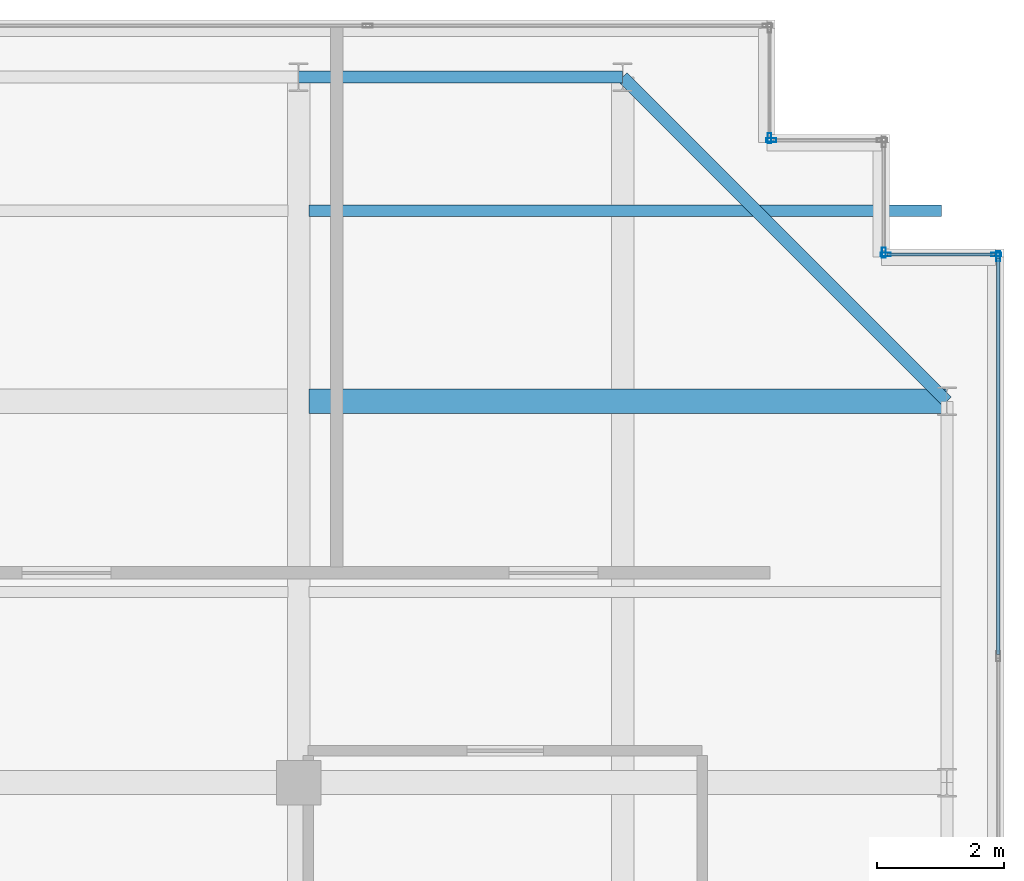
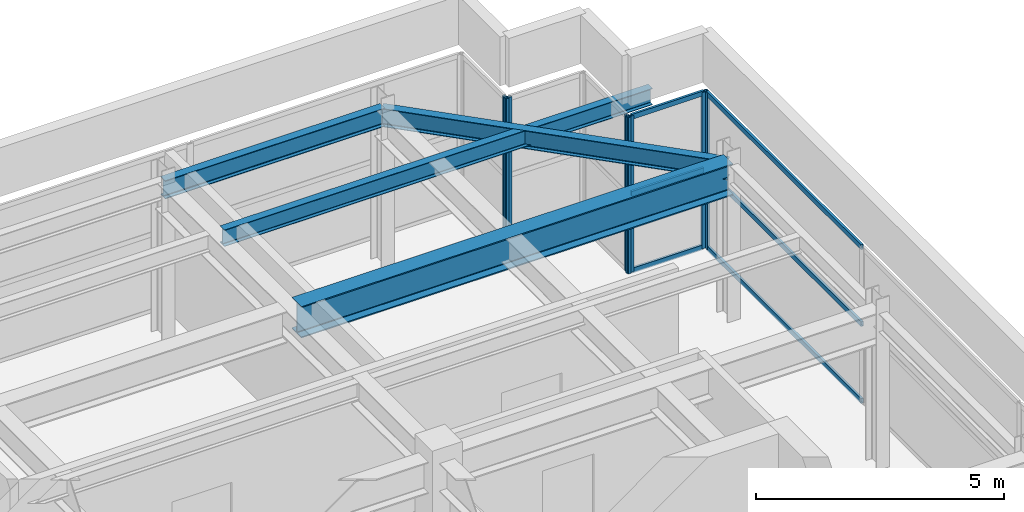
# One storey, part 27 of 33: 12 members, 4 beams, 5 elements without a shape of their own.
"""IFC4 building model written with IfcOpenShell, lengths in metres."""

from ifc_helpers import new_model, si_unit, direction, frame, origin, origin_2d, place, context, subcontext, project, spatial, hollow_rectangle, i_section, extrude, source, transform, mapped, material, layer, layer_set, material_profile, profile_set, type_object, element, aggregate, save


model = new_model("IFC4")

# Units and contexts
model_context = context("Model", 3, precision=1e-05, world=origin(), true_north=direction((0.0, 1.0)))
body_context = subcontext(model_context, "Body", "Model", "MODEL_VIEW")
ifc_project = project(units=[si_unit("LENGTHUNIT", "METRE"), si_unit("AREAUNIT", "SQUARE_METRE"), si_unit("VOLUMEUNIT", "CUBIC_METRE"), si_unit("PLANEANGLEUNIT", "RADIAN"), si_unit("MASSUNIT", "GRAM", prefix="KILO")], contexts=[model_context])

# Site, building, storey
site_placement = place(None, origin())
site = spatial("IfcSite", under=ifc_project, at=site_placement, CompositionType="ELEMENT")
building_placement = place(site_placement, origin())
building = spatial("IfcBuilding", under=site, at=building_placement, Name="Khoralis Quay Care Tower", CompositionType="ELEMENT")
storey_placement = place(building_placement, frame((0.0, 0.0, 314.699951171875)))
storey = spatial("IfcBuildingStorey", under=building, at=storey_placement, Name="L82", CompositionType="ELEMENT", Elevation=314.699951171875)

# Beams
ifc_material_1 = material(Name="Steel S355", Category="steel")
ifc_material_profile_1 = material_profile(ifc_material_1, i_section(OverallWidth=0.18994140625, OverallDepth=0.449951171875, WebThickness=0.009521484375, FlangeThickness=0.0146484375, FilletRadius=0.02099609375, at=origin_2d()), Name="Steel S355")
ifc_profile_set_1 = profile_set([ifc_material_profile_1], Name="Steel S355")
beam_type_1 = type_object("IfcBeamType", Name="BM-IPE450", PredefinedType="SPANDREL", material=ifc_profile_set_1)
shared_shape_1 = source(origin(), body_context, "Body", "SweptSolid", [
    extrude(i_section(OverallWidth=0.18994140625, OverallDepth=0.449951171875, WebThickness=0.009521484375, FlangeThickness=0.0146484375, FilletRadius=0.02099609375, at=origin_2d()), origin(), (0.0, 0.0, 1.0), 5.10009765625),
])
beam_1_placement = place(storey_placement, frame((30.89990234375, 41.10009765625, 3.614990234375), z_axis=(1.0, 0.0, 0.0), x_axis=(0.0, 1.0, 0.0)))
element("IfcBeam", 1, at=beam_1_placement, inside=storey, type_object=beam_type_1, Name="BM-TSP-L82-08", PredefinedType="SPANDREL", context=body_context, shape_type="MappedRepresentation", body=[
    mapped(shared_shape_1, transform((0.0, 0.0, 0.0), scale=1.0)),
])
shared_shape_2 = source(origin(), body_context, "Body", "SweptSolid", [
    extrude(i_section(OverallWidth=0.18994140625, OverallDepth=0.449951171875, WebThickness=0.009521484375, FlangeThickness=0.0146484375, FilletRadius=0.02099609375, at=origin_2d()), origin(), (0.0, 0.0, 1.0), 7.212646484375),
])
beam_2_placement = place(storey_placement, frame((36.0, 41.10009765625, 3.614990234375), z_axis=(0.707106781187, -0.707106781187, 0.0), x_axis=(0.707106781187, 0.707106781187, 0.0)))
element("IfcBeam", 2, at=beam_2_placement, inside=storey, type_object=beam_type_1, Name="BM-TCR-L82-20", PredefinedType="SPANDREL", context=body_context, shape_type="MappedRepresentation", body=[
    mapped(shared_shape_2, transform((0.0, 0.0, 0.0), scale=1.0)),
])
ifc_material_profile_2 = material_profile(ifc_material_1, i_section(OverallWidth=0.381103515625, OverallDepth=0.77294921875, WebThickness=0.0166015625, FlangeThickness=0.027587890625, FilletRadius=0.02197265625, at=origin_2d()), Name="Steel S355")
ifc_profile_set_2 = profile_set([ifc_material_profile_2], Name="Steel S355")
beam_type_2 = type_object("IfcBeamType", Name="BM-W760X257", PredefinedType="BEAM", material=ifc_profile_set_2)
shared_shape_3 = source(origin(), body_context, "Body", "SweptSolid", [
    extrude(i_section(OverallWidth=0.381103515625, OverallDepth=0.77294921875, WebThickness=0.0166015625, FlangeThickness=0.027587890625, FilletRadius=0.02197265625, at=origin_2d()), origin(), (0.0, 0.0, 1.0), 10.03466796875),
])
beam_3_placement = place(storey_placement, frame((31.0654296875, 36.0, 3.45361328125), z_axis=(1.0, 0.0, 0.0), x_axis=(0.0, 1.0, 0.0)))
element("IfcBeam", 3, at=beam_3_placement, inside=storey, type_object=beam_type_2, Name="BM-TGXE-L82-360", PredefinedType="BEAM", context=body_context, shape_type="MappedRepresentation", body=[
    mapped(shared_shape_3, transform((0.0, 0.0, 0.0), scale=1.0)),
])
ifc_material_profile_3 = material_profile(ifc_material_1, i_section(OverallWidth=0.177978515625, OverallDepth=0.406982421875, WebThickness=0.0078125, FlangeThickness=0.0126953125, FilletRadius=0.012939453125, at=origin_2d()), Name="Steel S355")
ifc_profile_set_3 = profile_set([ifc_material_profile_3], Name="Steel S355")
beam_type_3 = type_object("IfcBeamType", Name="BM-W410X60", PredefinedType="JOIST", material=ifc_profile_set_3)
shared_shape_4 = source(origin(), body_context, "Body", "SweptSolid", [
    extrude(i_section(OverallWidth=0.177978515625, OverallDepth=0.406982421875, WebThickness=0.0078125, FlangeThickness=0.0126953125, FilletRadius=0.012939453125, at=origin_2d()), origin(), (0.0, 0.0, 1.0), 9.95361328125),
])
beam_4_placement = place(storey_placement, frame((31.0654296875, 39.0, 3.636474609375), z_axis=(1.0, 0.0, 0.0), x_axis=(0.0, 1.0, 0.0)))
element("IfcBeam", 4, at=beam_4_placement, inside=storey, type_object=beam_type_3, Name="BM-TJS-L82-28", PredefinedType="JOIST", context=body_context, shape_type="MappedRepresentation", body=[
    mapped(shared_shape_4, transform((0.0, 0.0, 0.0), scale=1.0)),
])

# Curtain wall, members
ifc_material_2 = material(Name="Pale anodised aluminium", Category="aluminium")
ifc_layer = layer(ifc_material_2, 0.199951171875)
ifc_layer_set = layer_set([ifc_layer], Name="Pale anodised aluminium")
curtain_wall_type = type_object("IfcCurtainWallType", Name="CW-SYS-LANTERN", PredefinedType="NOTDEFINED", material=ifc_layer_set)
curtain_wall_1_placement = place(storey_placement, origin())
curtain_wall_1 = element("IfcCurtainWall", 5, at=curtain_wall_1_placement, inside=storey, type_object=curtain_wall_type, Name="L82 Unitised Curtain Wall CW-LN-L82-06", PredefinedType="NOTDEFINED")
ifc_material_profile_4 = material_profile(ifc_material_2, hollow_rectangle(XDim=0.054931640625, YDim=0.1201171875, WallThickness=0.00390625, at=origin_2d()), Name="Pale anodised aluminium")
ifc_profile_set_4 = profile_set([ifc_material_profile_4], Name="Pale anodised aluminium")
member_type_1 = type_object("IfcMemberType", Name="CW-TRN-120", PredefinedType="USERDEFINED", material=ifc_profile_set_4)
shared_shape_5 = source(origin(), body_context, "Body", "SweptSolid", [
    extrude(hollow_rectangle(XDim=0.054931640625, YDim=0.1201171875, WallThickness=0.00390625, at=origin_2d()), origin(), (0.0, 0.0, 1.0), 6.23388671875),
])
member_1_placement = place(storey_placement, frame((41.909912109375, 32.01611328125, 0.030029296875), z_axis=(0.0, 1.0, 0.0), x_axis=(-1.0, 0.0, 0.0)))
member_1 = element("IfcMember", 6, at=member_1_placement, type_object=member_type_1, Name="CW5 transom 5.1", ObjectType="TRANSOM", PredefinedType="USERDEFINED", context=body_context, shape_type="MappedRepresentation", body=[
    mapped(shared_shape_5, transform((0.0, 0.0, 0.0), scale=1.0)),
])
member_2_placement = place(storey_placement, frame((41.909912109375, 32.01611328125, 1.920166015625), z_axis=(0.0, 1.0, 0.0), x_axis=(-1.0, 0.0, 0.0)))
member_2 = element("IfcMember", 7, at=member_2_placement, type_object=member_type_1, Name="CW5 transom 5.2", ObjectType="TRANSOM", PredefinedType="USERDEFINED", context=body_context, shape_type="MappedRepresentation", body=[
    mapped(shared_shape_5, transform((0.0, 0.0, 0.0), scale=1.0)),
])
member_3_placement = place(storey_placement, frame((41.909912109375, 32.01611328125, 3.81005859375), z_axis=(0.0, 1.0, 0.0), x_axis=(-1.0, 0.0, 0.0)))
member_3 = element("IfcMember", 8, at=member_3_placement, type_object=member_type_1, Name="CW5 transom 5.3", ObjectType="TRANSOM", PredefinedType="USERDEFINED", context=body_context, shape_type="MappedRepresentation", body=[
    mapped(shared_shape_5, transform((0.0, 0.0, 0.0), scale=1.0)),
])

curtain_wall_2_placement = place(storey_placement, origin())
curtain_wall_2 = element("IfcCurtainWall", 9, at=curtain_wall_2_placement, inside=storey, type_object=curtain_wall_type, Name="L82 Unitised Curtain Wall CW-LN-L82-07", PredefinedType="NOTDEFINED")
shared_shape_6 = source(origin(), body_context, "Body", "SweptSolid", [
    extrude(hollow_rectangle(XDim=0.054931640625, YDim=0.1201171875, WallThickness=0.00390625, at=origin_2d()), origin(), (0.0, 0.0, 1.0), 1.68017578125),
])
member_4_placement = place(storey_placement, frame((41.85009765625, 38.31005859375, 0.030029296875), z_axis=(-1.0, 0.0, 0.0), x_axis=(0.0, -1.0, 0.0)))
member_4 = element("IfcMember", 10, at=member_4_placement, type_object=member_type_1, Name="CW5 transom 1.1", ObjectType="TRANSOM", PredefinedType="USERDEFINED", context=body_context, shape_type="MappedRepresentation", body=[
    mapped(shared_shape_6, transform((0.0, 0.0, 0.0), scale=1.0)),
])
member_5_placement = place(storey_placement, frame((41.85009765625, 38.31005859375, 1.920166015625), z_axis=(-1.0, 0.0, 0.0), x_axis=(0.0, -1.0, 0.0)))
member_5 = element("IfcMember", 11, at=member_5_placement, type_object=member_type_1, Name="CW5 transom 1.2", ObjectType="TRANSOM", PredefinedType="USERDEFINED", context=body_context, shape_type="MappedRepresentation", body=[
    mapped(shared_shape_6, transform((0.0, 0.0, 0.0), scale=1.0)),
])
member_6_placement = place(storey_placement, frame((41.85009765625, 38.31005859375, 3.81005859375), z_axis=(-1.0, 0.0, 0.0), x_axis=(0.0, -1.0, 0.0)))
member_6 = element("IfcMember", 12, at=member_6_placement, type_object=member_type_1, Name="CW5 transom 1.3", ObjectType="TRANSOM", PredefinedType="USERDEFINED", context=body_context, shape_type="MappedRepresentation", body=[
    mapped(shared_shape_6, transform((0.0, 0.0, 0.0), scale=1.0)),
])

# Member
ifc_material_profile_5 = material_profile(ifc_material_2, hollow_rectangle(XDim=0.06005859375, YDim=0.159912109375, WallThickness=0.00390625, at=origin_2d()), Name="Pale anodised aluminium")
ifc_profile_set_5 = profile_set([ifc_material_profile_5], Name="Pale anodised aluminium")
member_type_2 = type_object("IfcMemberType", Name="CW-MUL-160", PredefinedType="MULLION", material=ifc_profile_set_5)
shared_shape_7 = source(origin(), body_context, "Body", "SweptSolid", [
    extrude(hollow_rectangle(XDim=0.06005859375, YDim=0.159912109375, WallThickness=0.00390625, at=origin_2d()), origin(), (0.0, 0.0, 1.0), 3.840087890625),
])
member_7_placement = place(storey_placement, frame((41.909912109375, 38.280029296875, 0.0), z_axis=(0.0, 0.0, 1.0), x_axis=(-1.0, 0.0, 0.0)))
member_7 = element("IfcMember", 13, at=member_7_placement, type_object=member_type_2, Name="CW5 mullion 6", PredefinedType="MULLION", context=body_context, shape_type="MappedRepresentation", body=[
    mapped(shared_shape_7, transform((0.0, 0.0, 0.0), scale=1.0)),
])

aggregate(curtain_wall_1, [member_7, member_1, member_2, member_3])

member_8_placement = place(storey_placement, frame((41.8798828125, 38.31005859375, 0.0), z_axis=(0.0, 0.0, 1.0), x_axis=(0.0, -1.0, 0.0)))
member_8 = element("IfcMember", 14, at=member_8_placement, type_object=member_type_2, Name="CW5 mullion 1", PredefinedType="MULLION", context=body_context, shape_type="MappedRepresentation", body=[
    mapped(shared_shape_7, transform((0.0, 0.0, 0.0), scale=1.0)),
])

member_9_placement = place(storey_placement, frame((40.139892578125, 38.31005859375, 0.0), z_axis=(0.0, 0.0, 1.0), x_axis=(0.0, -1.0, 0.0)))
member_9 = element("IfcMember", 15, at=member_9_placement, type_object=member_type_2, Name="CW5 mullion 2", PredefinedType="MULLION", context=body_context, shape_type="MappedRepresentation", body=[
    mapped(shared_shape_7, transform((0.0, 0.0, 0.0), scale=1.0)),
])

aggregate(curtain_wall_2, [member_8, member_9, member_4, member_5, member_6])

# Curtain wall, member
curtain_wall_3_placement = place(storey_placement, origin())
curtain_wall_3 = element("IfcCurtainWall", 16, at=curtain_wall_3_placement, inside=storey, type_object=curtain_wall_type, Name="L82 Unitised Curtain Wall CW-LN-L82-08", PredefinedType="NOTDEFINED")
member_10_placement = place(storey_placement, frame((40.110107421875, 38.340087890625, 0.0), z_axis=(0.0, 0.0, 1.0), x_axis=(-1.0, 0.0, 0.0)))
member_10 = element("IfcMember", 17, at=member_10_placement, type_object=member_type_2, Name="CW5 mullion 1", PredefinedType="MULLION", context=body_context, shape_type="MappedRepresentation", body=[
    mapped(shared_shape_7, transform((0.0, 0.0, 0.0), scale=1.0)),
])
aggregate(curtain_wall_3, [member_10])

curtain_wall_4_placement = place(storey_placement, origin())
curtain_wall_4 = element("IfcCurtainWall", 18, at=curtain_wall_4_placement, inside=storey, type_object=curtain_wall_type, Name="L82 Unitised Curtain Wall CW-LN-L82-09", PredefinedType="NOTDEFINED")
member_11_placement = place(storey_placement, frame((38.340087890625, 40.110107421875, 0.0), z_axis=(0.0, 0.0, 1.0), x_axis=(0.0, -1.0, 0.0)))
member_11 = element("IfcMember", 19, at=member_11_placement, type_object=member_type_2, Name="CW5 mullion 2", PredefinedType="MULLION", context=body_context, shape_type="MappedRepresentation", body=[
    mapped(shared_shape_7, transform((0.0, 0.0, 0.0), scale=1.0)),
])
aggregate(curtain_wall_4, [member_11])

curtain_wall_5_placement = place(storey_placement, origin())
curtain_wall_5 = element("IfcCurtainWall", 20, at=curtain_wall_5_placement, inside=storey, type_object=curtain_wall_type, Name="L82 Unitised Curtain Wall CW-LN-L82-10", PredefinedType="NOTDEFINED")
member_12_placement = place(storey_placement, frame((38.31005859375, 40.139892578125, 0.0), z_axis=(0.0, 0.0, 1.0), x_axis=(-1.0, 0.0, 0.0)))
member_12 = element("IfcMember", 21, at=member_12_placement, type_object=member_type_2, Name="CW5 mullion 1", PredefinedType="MULLION", context=body_context, shape_type="MappedRepresentation", body=[
    mapped(shared_shape_7, transform((0.0, 0.0, 0.0), scale=1.0)),
])
aggregate(curtain_wall_5, [member_12])

save(model, "model.ifc")
